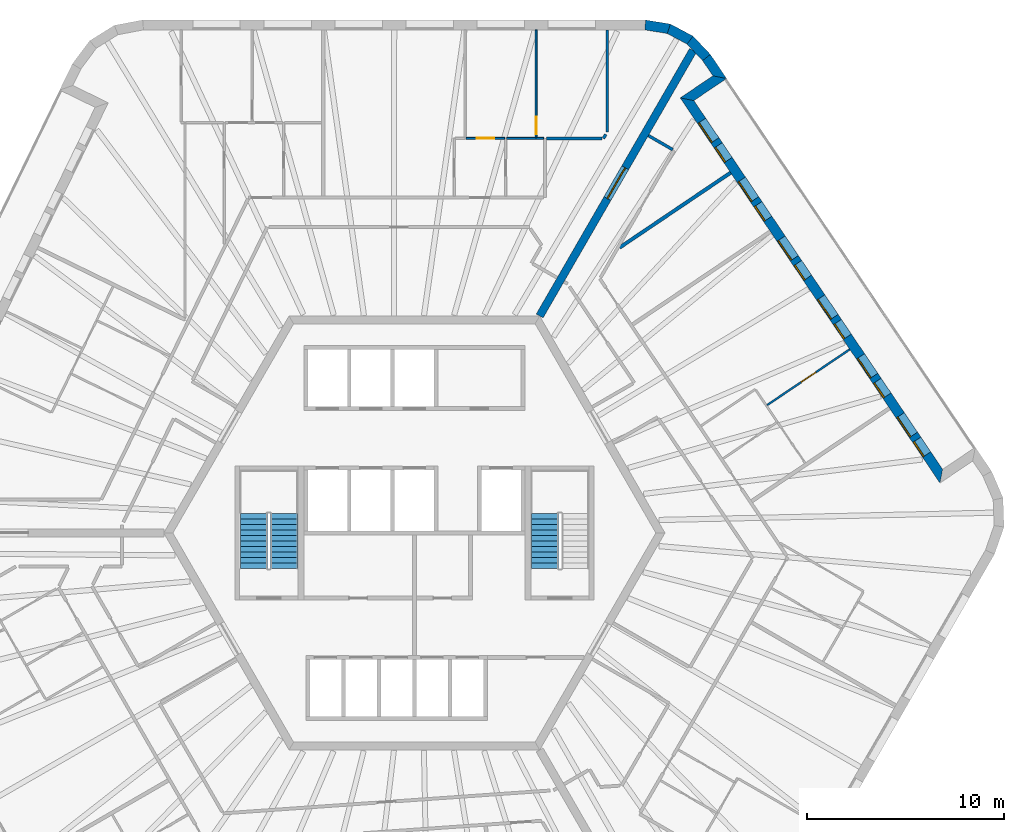
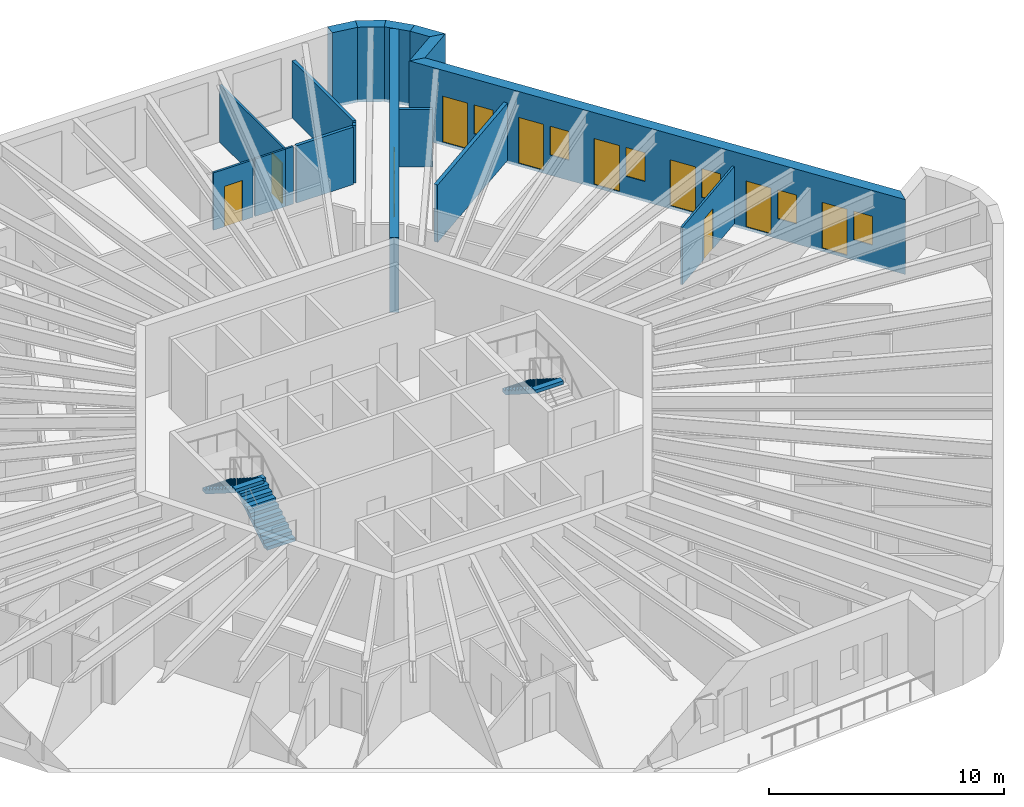
# One storey, part 10 of 12: 17 walls, 10 doors, 6 windows, 3 stair flights, 16 openings, 2 elements without a shape of their own.
"""IFC4 building model written with IfcOpenShell, lengths in metres."""

from ifc_helpers import new_model, si_unit, direction, frame, frame_2d, origin, place, context, subcontext, project, spatial, polyline, rectangle, outline, extrude, material, layer, layer_set, type_object, element, fill, aggregate, save


model = new_model("IFC4")

# Units and contexts
model_context = context("Model", 3, precision=1e-05, world=origin(), true_north=direction((0.0, 1.0)))
body_context = subcontext(model_context, "Body", "Model", "MODEL_VIEW")
ifc_project = project(units=[si_unit("LENGTHUNIT", "METRE"), si_unit("AREAUNIT", "SQUARE_METRE"), si_unit("VOLUMEUNIT", "CUBIC_METRE"), si_unit("PLANEANGLEUNIT", "RADIAN"), si_unit("MASSUNIT", "GRAM", prefix="KILO")], contexts=[model_context])

# Site, building, storey
site_placement = place(None, origin())
site = spatial("IfcSite", under=ifc_project, at=site_placement, CompositionType="ELEMENT")
building_placement = place(site_placement, origin())
building = spatial("IfcBuilding", under=site, at=building_placement, Name="Tarnside Tower", CompositionType="ELEMENT")
storey_placement = place(building_placement, frame((0.0, 0.0, 310.800048828125)))
storey = spatial("IfcBuildingStorey", under=building, at=storey_placement, Name="L75", CompositionType="ELEMENT", Elevation=310.800048828125)

# Walls
ifc_material_1 = material(Name="Gypsum board partition on steel studs", Category="steel")
ifc_layer_1 = layer(ifc_material_1, 0.10009765625)
ifc_layer_set_1 = layer_set([ifc_layer_1], Name="Bathroom wall 100")
wall_type_1 = type_object("IfcWallType", Name="Bathroom wall 100", PredefinedType="PARTITIONING", material=ifc_layer_set_1)
wall_1_placement = place(storey_placement, frame((6.5537109375, 20.0, 0.0), z_axis=(0.0, 0.0, 1.0), x_axis=(-1.0, 0.0, 0.0)))
element("IfcWall", 1, at=wall_1_placement, inside=storey, type_object=wall_type_1, Name="Bathroom wall 24090", PredefinedType="PARTITIONING", context=body_context, shape_type="SweptSolid", body=[
    extrude(rectangle(XDim=0.37841796875, YDim=0.10009765625, at=frame_2d((0.189208984375, 0.0))), origin(), (0.0, 0.0, 1.0), 2.98779296875),
])
wall_2_placement = place(storey_placement, frame((6.17529296875, 20.0, 0.0), z_axis=(0.0, 0.0, 1.0), x_axis=(-1.0, 0.0, 0.0)))
element("IfcWall", 2, at=wall_2_placement, inside=storey, type_object=wall_type_1, Name="Bathroom wall 24091", PredefinedType="PARTITIONING", context=body_context, shape_type="SweptSolid", body=[
    extrude(rectangle(XDim=1.500732421875, YDim=0.10009765625, at=frame_2d((0.75048828125, 0.0))), origin(), (0.0, 0.0, 1.0), 2.98779296875),
])

# Wall, opening, door
ifc_material_2 = material(Name="Concrete C60/75", Category="concrete")
ifc_layer_2 = layer(ifc_material_2, 0.39990234375)
ifc_layer_set_2 = layer_set([ifc_layer_2], Name="Core wall Z3 400 C60/75")
wall_type_2 = type_object("IfcWallType", Name="Core wall Z3 400 C60/75", PredefinedType="SHEAR", material=ifc_layer_set_2)
wall_3_placement = place(storey_placement, frame((6.350830078125, 11.0, -0.150146484375), z_axis=(0.0, 0.0, 1.0), x_axis=(0.499998894578, 0.866026041999, 0.0)))
wall_3 = element("IfcWall", 3, at=wall_3_placement, inside=storey, type_object=wall_type_2, Name="L75 spine wall 1", PredefinedType="SHEAR", context=body_context, shape_type="SweptSolid", body=[
    extrude(rectangle(XDim=15.54443359375, YDim=0.39990234375, at=frame_2d((7.772216796875, 0.0))), origin(), (0.0, 0.0, 1.0), 3.900146484375),
])
opening_1_placement = place(wall_3_placement, frame((6.872314453125, 0.0, 0.14990234375)))
opening_1 = element("IfcOpeningElement", 4, at=opening_1_placement, cuts=wall_3, Name="Opening CD-SPN", PredefinedType="OPENING", context=body_context, shape_type="SweptSolid", body=[
    extrude(rectangle(XDim=1.800048828125, YDim=2.39990234375, at=frame_2d((0.89990234375, 1.199951171875))), frame((0.0, 0.2099609375, 0.0), z_axis=(0.0, -1.0, 0.0), x_axis=(1.0, 0.0, 0.0)), (0.0, 0.0, 1.0), 0.419921875),
])
ifc_material_3 = material(Name="Steel fire door", Category="steel")
door_type_1 = type_object("IfcDoorType", Name="Spine passage double door FD60 1800x2400", OperationType="NOTDEFINED", PredefinedType="DOOR", material=ifc_material_3)
door_1_placement = place(opening_1_placement, origin())
door_1 = element("IfcDoor", 5, at=door_1_placement, inside=storey, type_object=door_type_1, Name="L75 spine passage door 1", OperationType="DOUBLE_DOOR_SINGLE_SWING", OverallHeight=2.39990234375, OverallWidth=1.800048828125, PredefinedType="DOOR", context=body_context, shape_type="SweptSolid", body=[
    extrude(rectangle(XDim=1.800048828125, YDim=2.39990234375, at=frame_2d((0.89990234375, 1.199951171875))), frame((0.0, 0.02490234375, 0.0), z_axis=(0.0, -1.0, 0.0), x_axis=(1.0, 0.0, 0.0)), (0.0, 0.0, 1.0), 0.050048828125),
])
fill(opening_1, door_1)

# Walls
ifc_layer_3 = layer(ifc_material_1, 0.14990234375)
ifc_layer_set_3 = layer_set([ifc_layer_3], Name="Corridor wall 150 EI 60")
wall_type_3 = type_object("IfcWallType", Name="Corridor wall 150 EI 60", PredefinedType="PARTITIONING", material=ifc_layer_set_3)
wall_4_placement = place(storey_placement, frame((9.775146484375, 25.5, 0.0), z_axis=(0.0, 0.0, 1.0), x_axis=(0.0, -1.0, 0.0)))
element("IfcWall", 6, at=wall_4_placement, inside=storey, type_object=wall_type_3, Name="Corridor wall 24005", PredefinedType="PARTITIONING", context=body_context, shape_type="SweptSolid", body=[
    extrude(rectangle(XDim=5.1689453125, YDim=0.14990234375, at=frame_2d((2.58447265625, 0.0))), origin(), (0.0, 0.0, 1.0), 2.98779296875),
])
wall_5_placement = place(storey_placement, frame((9.7001953125, 20.201171875, 0.0), z_axis=(0.0, 0.0, 1.0), x_axis=(-0.500207565094, -0.865905532852, 0.0)))
element("IfcWall", 7, at=wall_5_placement, inside=storey, type_object=wall_type_3, Name="Corridor wall 24006", PredefinedType="PARTITIONING", context=body_context, shape_type="SweptSolid", body=[
    extrude(rectangle(XDim=0.232421875, YDim=0.14990234375, at=frame_2d((0.1162109375, 0.0))), origin(), (0.0, 0.0, 1.0), 2.98779296875),
])
wall_6_placement = place(storey_placement, frame((9.497314453125, 20.0, 0.0), z_axis=(0.0, 0.0, 1.0), x_axis=(-1.0, 0.0, 0.0)))
element("IfcWall", 8, at=wall_6_placement, inside=storey, type_object=wall_type_3, Name="Corridor wall 24007", PredefinedType="PARTITIONING", context=body_context, shape_type="SweptSolid", body=[
    extrude(rectangle(XDim=2.799072265625, YDim=0.14990234375, at=frame_2d((1.3994140625, 0.0))), origin(), (0.0, 0.0, 1.0), 2.98779296875),
])
wall_7_placement = place(storey_placement, frame((13.09423828125, 19.429931640625, 0.0), z_axis=(0.0, 0.0, 1.0), x_axis=(-0.866062911188, 0.499935029643, 0.0)))
element("IfcWall", 9, at=wall_7_placement, inside=storey, type_object=wall_type_3, Name="Corridor wall 24070", PredefinedType="PARTITIONING", context=body_context, shape_type="SweptSolid", body=[
    extrude(rectangle(XDim=1.425048828125, YDim=0.14990234375, at=frame_2d((0.71240234375, 0.0))), origin(), (0.0, 0.0, 1.0), 2.98779296875),
])
ifc_layer_4 = layer(ifc_material_1, 0.179931640625)
ifc_layer_set_4 = layer_set([ifc_layer_4], Name="Demising wall 180 EI 60")
wall_type_4 = type_object("IfcWallType", Name="Demising wall 180 EI 60", PredefinedType="PARTITIONING", material=ifc_layer_set_4)
wall_8_placement = place(storey_placement, frame((16.029296875, 18.260498046875, 0.0), z_axis=(0.0, 0.0, 1.0), x_axis=(-0.82904538001, -0.559181328268, 0.0)))
element("IfcWall", 10, at=wall_8_placement, inside=storey, type_object=wall_type_4, Name="Demising wall 24166", PredefinedType="PARTITIONING", context=body_context, shape_type="SweptSolid", body=[
    extrude(rectangle(XDim=6.78955078125, YDim=0.179931640625, at=frame_2d((3.394775390625, 0.0))), origin(), (0.0, 0.0, 1.0), 2.98779296875),
])

# Wall, openings, doors, windows
ifc_material_4 = material(Name="Dark zinc cladding")
ifc_layer_5 = layer(ifc_material_4, 0.10205078125)
ifc_material_5 = material(Name="Concrete C60/75 precast", Category="concrete")
ifc_layer_6 = layer(ifc_material_5, 0.298095703125)
ifc_material_6 = material(Name="Mineral wool insulation")
ifc_layer_7 = layer(ifc_material_6, 0.10009765625)
ifc_layer_set_5 = layer_set([ifc_layer_5, ifc_layer_6, ifc_layer_7], Name="Loggia wall 500 zinc faced")
wall_type_5 = type_object("IfcWallType", Name="Loggia wall 500 zinc faced", PredefinedType="SOLIDWALL", material=ifc_layer_set_5)
wall_9_placement = place(storey_placement, frame((26.705810546875, 2.87890625, -0.150146484375), z_axis=(0.0, 0.0, 1.0), x_axis=(-0.559197891507, 0.829034208061, 0.0)))
wall_9 = element("IfcWall", 11, at=wall_9_placement, inside=storey, type_object=wall_type_5, Name="Tube wall L75 F6 back 30", PredefinedType="SOLIDWALL", context=body_context, shape_type="SweptSolid", body=[
    extrude(outline(polyline([(0.25, -0.25), (22.794677734375, -0.25), (23.294677734375, 0.25), (-0.25, 0.25), (0.25, -0.25)])), origin(), (0.0, 0.0, 1.0), 3.900146484375),
])
opening_2_placement = place(wall_9_placement, frame((1.322509765625, 0.0, 1.050048828125)))
opening_2 = element("IfcOpeningElement", 12, at=opening_2_placement, cuts=wall_9, Name="Opening WL500", PredefinedType="OPENING", context=body_context, shape_type="SweptSolid", body=[
    extrude(rectangle(XDim=0.89990234375, YDim=1.5, at=frame_2d((0.449951171875, 0.75))), frame((0.0, 0.260009765625, 0.0), z_axis=(0.0, -1.0, 0.0), x_axis=(1.0, 0.0, 0.0)), (0.0, 0.0, 1.0), 0.52001953125),
])
opening_3_placement = place(wall_9_placement, frame((2.5224609375, 0.0, 0.14990234375)))
opening_3 = element("IfcOpeningElement", 13, at=opening_3_placement, cuts=wall_9, Name="Opening DB500", PredefinedType="OPENING", context=body_context, shape_type="SweptSolid", body=[
    extrude(rectangle(XDim=1.199951171875, YDim=2.39990234375, at=frame_2d((0.60009765625, 1.199951171875))), frame((0.0, 0.260009765625, 0.0), z_axis=(0.0, -1.0, 0.0), x_axis=(1.0, 0.0, 0.0)), (0.0, 0.0, 1.0), 0.52001953125),
])
opening_4_placement = place(wall_9_placement, frame((4.92236328125, 0.0, 1.050048828125)))
opening_4 = element("IfcOpeningElement", 14, at=opening_4_placement, cuts=wall_9, Name="Opening WL500", PredefinedType="OPENING", context=body_context, shape_type="SweptSolid", body=[
    extrude(rectangle(XDim=0.89990234375, YDim=1.5, at=frame_2d((0.449951171875, 0.75))), frame((0.0, 0.260009765625, 0.0), z_axis=(0.0, -1.0, 0.0), x_axis=(1.0, 0.0, 0.0)), (0.0, 0.0, 1.0), 0.52001953125),
])
opening_5_placement = place(wall_9_placement, frame((6.122314453125, 0.0, 0.14990234375)))
opening_5 = element("IfcOpeningElement", 15, at=opening_5_placement, cuts=wall_9, Name="Opening DB500", PredefinedType="OPENING", context=body_context, shape_type="SweptSolid", body=[
    extrude(rectangle(XDim=1.199951171875, YDim=2.39990234375, at=frame_2d((0.60009765625, 1.199951171875))), frame((0.0, 0.260009765625, 0.0), z_axis=(0.0, -1.0, 0.0), x_axis=(1.0, 0.0, 0.0)), (0.0, 0.0, 1.0), 0.52001953125),
])
opening_6_placement = place(wall_9_placement, frame((8.5224609375, 0.0, 1.050048828125)))
opening_6 = element("IfcOpeningElement", 16, at=opening_6_placement, cuts=wall_9, Name="Opening WL500", PredefinedType="OPENING", context=body_context, shape_type="SweptSolid", body=[
    extrude(rectangle(XDim=0.89990234375, YDim=1.5, at=frame_2d((0.449951171875, 0.75))), frame((0.0, 0.260009765625, 0.0), z_axis=(0.0, -1.0, 0.0), x_axis=(1.0, 0.0, 0.0)), (0.0, 0.0, 1.0), 0.52001953125),
])
opening_7_placement = place(wall_9_placement, frame((9.722412109375, 0.0, 0.14990234375)))
opening_7 = element("IfcOpeningElement", 17, at=opening_7_placement, cuts=wall_9, Name="Opening DB500", PredefinedType="OPENING", context=body_context, shape_type="SweptSolid", body=[
    extrude(rectangle(XDim=1.199951171875, YDim=2.39990234375, at=frame_2d((0.60009765625, 1.199951171875))), frame((0.0, 0.260009765625, 0.0), z_axis=(0.0, -1.0, 0.0), x_axis=(1.0, 0.0, 0.0)), (0.0, 0.0, 1.0), 0.52001953125),
])
opening_8_placement = place(wall_9_placement, frame((12.122314453125, 0.0, 1.050048828125)))
opening_8 = element("IfcOpeningElement", 18, at=opening_8_placement, cuts=wall_9, Name="Opening WL500", PredefinedType="OPENING", context=body_context, shape_type="SweptSolid", body=[
    extrude(rectangle(XDim=0.89990234375, YDim=1.5, at=frame_2d((0.449951171875, 0.75))), frame((0.0, 0.260009765625, 0.0), z_axis=(0.0, -1.0, 0.0), x_axis=(1.0, 0.0, 0.0)), (0.0, 0.0, 1.0), 0.52001953125),
])
opening_9_placement = place(wall_9_placement, frame((13.322509765625, 0.0, 0.14990234375)))
opening_9 = element("IfcOpeningElement", 19, at=opening_9_placement, cuts=wall_9, Name="Opening DB500", PredefinedType="OPENING", context=body_context, shape_type="SweptSolid", body=[
    extrude(rectangle(XDim=1.199951171875, YDim=2.39990234375, at=frame_2d((0.60009765625, 1.199951171875))), frame((0.0, 0.260009765625, 0.0), z_axis=(0.0, -1.0, 0.0), x_axis=(1.0, 0.0, 0.0)), (0.0, 0.0, 1.0), 0.52001953125),
])
opening_10_placement = place(wall_9_placement, frame((15.722412109375, 0.0, 1.050048828125)))
opening_10 = element("IfcOpeningElement", 20, at=opening_10_placement, cuts=wall_9, Name="Opening WL500", PredefinedType="OPENING", context=body_context, shape_type="SweptSolid", body=[
    extrude(rectangle(XDim=0.89990234375, YDim=1.5, at=frame_2d((0.449951171875, 0.75))), frame((0.0, 0.260009765625, 0.0), z_axis=(0.0, -1.0, 0.0), x_axis=(1.0, 0.0, 0.0)), (0.0, 0.0, 1.0), 0.52001953125),
])
opening_11_placement = place(wall_9_placement, frame((16.92236328125, 0.0, 0.14990234375)))
opening_11 = element("IfcOpeningElement", 21, at=opening_11_placement, cuts=wall_9, Name="Opening DB500", PredefinedType="OPENING", context=body_context, shape_type="SweptSolid", body=[
    extrude(rectangle(XDim=1.199951171875, YDim=2.39990234375, at=frame_2d((0.60009765625, 1.199951171875))), frame((0.0, 0.260009765625, 0.0), z_axis=(0.0, -1.0, 0.0), x_axis=(1.0, 0.0, 0.0)), (0.0, 0.0, 1.0), 0.52001953125),
])
opening_12_placement = place(wall_9_placement, frame((19.322509765625, 0.0, 1.050048828125)))
opening_12 = element("IfcOpeningElement", 22, at=opening_12_placement, cuts=wall_9, Name="Opening WL500", PredefinedType="OPENING", context=body_context, shape_type="SweptSolid", body=[
    extrude(rectangle(XDim=0.89990234375, YDim=1.5, at=frame_2d((0.449951171875, 0.75))), frame((0.0, 0.260009765625, 0.0), z_axis=(0.0, -1.0, 0.0), x_axis=(1.0, 0.0, 0.0)), (0.0, 0.0, 1.0), 0.52001953125),
])
opening_13_placement = place(wall_9_placement, frame((20.5224609375, 0.0, 0.14990234375)))
opening_13 = element("IfcOpeningElement", 23, at=opening_13_placement, cuts=wall_9, Name="Opening DB500", PredefinedType="OPENING", context=body_context, shape_type="SweptSolid", body=[
    extrude(rectangle(XDim=1.199951171875, YDim=2.39990234375, at=frame_2d((0.60009765625, 1.199951171875))), frame((0.0, 0.260009765625, 0.0), z_axis=(0.0, -1.0, 0.0), x_axis=(1.0, 0.0, 0.0)), (0.0, 0.0, 1.0), 0.52001953125),
])
ifc_material_7 = material(Name="Aluminium-framed double glazing", Category="aluminium")
door_type_2 = type_object("IfcDoorType", Name="Balcony sliding door 1200 x 2400 in 500 wall", OperationType="SLIDING_TO_LEFT", PredefinedType="DOOR", material=ifc_material_7)
door_2_placement = place(opening_3_placement, frame((0.0, 0.1748046875, 0.0)))
door_2 = element("IfcDoor", 24, at=door_2_placement, inside=storey, type_object=door_type_2, Name="E.BD.L75.F6.00", OperationType="SLIDING_TO_LEFT", OverallHeight=2.39990234375, OverallWidth=1.199951171875, PredefinedType="DOOR", context=body_context, shape_type="SweptSolid", body=[
    extrude(rectangle(XDim=1.199951171875, YDim=2.39990234375, at=frame_2d((0.60009765625, 1.199951171875))), frame((0.0, 0.02490234375, 0.0), z_axis=(0.0, -1.0, 0.0), x_axis=(1.0, 0.0, 0.0)), (0.0, 0.0, 1.0), 0.050048828125),
])
fill(opening_3, door_2)
door_3_placement = place(opening_5_placement, frame((0.0, 0.1748046875, 0.0)))
door_3 = element("IfcDoor", 25, at=door_3_placement, inside=storey, type_object=door_type_2, Name="E.BD.L75.F6.01", OperationType="SLIDING_TO_LEFT", OverallHeight=2.39990234375, OverallWidth=1.199951171875, PredefinedType="DOOR", context=body_context, shape_type="SweptSolid", body=[
    extrude(rectangle(XDim=1.199951171875, YDim=2.39990234375, at=frame_2d((0.60009765625, 1.199951171875))), frame((0.0, 0.02490234375, 0.0), z_axis=(0.0, -1.0, 0.0), x_axis=(1.0, 0.0, 0.0)), (0.0, 0.0, 1.0), 0.050048828125),
])
fill(opening_5, door_3)
door_4_placement = place(opening_7_placement, frame((0.0, 0.1748046875, 0.0)))
door_4 = element("IfcDoor", 26, at=door_4_placement, inside=storey, type_object=door_type_2, Name="E.BD.L75.F6.02", OperationType="SLIDING_TO_LEFT", OverallHeight=2.39990234375, OverallWidth=1.199951171875, PredefinedType="DOOR", context=body_context, shape_type="SweptSolid", body=[
    extrude(rectangle(XDim=1.199951171875, YDim=2.39990234375, at=frame_2d((0.60009765625, 1.199951171875))), frame((0.0, 0.02490234375, 0.0), z_axis=(0.0, -1.0, 0.0), x_axis=(1.0, 0.0, 0.0)), (0.0, 0.0, 1.0), 0.050048828125),
])
fill(opening_7, door_4)
door_5_placement = place(opening_9_placement, frame((0.0, 0.1748046875, 0.0)))
door_5 = element("IfcDoor", 27, at=door_5_placement, inside=storey, type_object=door_type_2, Name="E.BD.L75.F6.03", OperationType="SLIDING_TO_LEFT", OverallHeight=2.39990234375, OverallWidth=1.199951171875, PredefinedType="DOOR", context=body_context, shape_type="SweptSolid", body=[
    extrude(rectangle(XDim=1.199951171875, YDim=2.39990234375, at=frame_2d((0.60009765625, 1.199951171875))), frame((0.0, 0.02490234375, 0.0), z_axis=(0.0, -1.0, 0.0), x_axis=(1.0, 0.0, 0.0)), (0.0, 0.0, 1.0), 0.050048828125),
])
fill(opening_9, door_5)
door_6_placement = place(opening_11_placement, frame((0.0, 0.1748046875, 0.0)))
door_6 = element("IfcDoor", 28, at=door_6_placement, inside=storey, type_object=door_type_2, Name="E.BD.L75.F6.04", OperationType="SLIDING_TO_LEFT", OverallHeight=2.39990234375, OverallWidth=1.199951171875, PredefinedType="DOOR", context=body_context, shape_type="SweptSolid", body=[
    extrude(rectangle(XDim=1.199951171875, YDim=2.39990234375, at=frame_2d((0.60009765625, 1.199951171875))), frame((0.0, 0.02490234375, 0.0), z_axis=(0.0, -1.0, 0.0), x_axis=(1.0, 0.0, 0.0)), (0.0, 0.0, 1.0), 0.050048828125),
])
fill(opening_11, door_6)
door_7_placement = place(opening_13_placement, frame((0.0, 0.1748046875, 0.0)))
door_7 = element("IfcDoor", 29, at=door_7_placement, inside=storey, type_object=door_type_2, Name="E.BD.L75.F6.05", OperationType="SLIDING_TO_LEFT", OverallHeight=2.39990234375, OverallWidth=1.199951171875, PredefinedType="DOOR", context=body_context, shape_type="SweptSolid", body=[
    extrude(rectangle(XDim=1.199951171875, YDim=2.39990234375, at=frame_2d((0.60009765625, 1.199951171875))), frame((0.0, 0.02490234375, 0.0), z_axis=(0.0, -1.0, 0.0), x_axis=(1.0, 0.0, 0.0)), (0.0, 0.0, 1.0), 0.050048828125),
])
fill(opening_13, door_7)
window_type = type_object("IfcWindowType", Name="Loggia window 900 x 1500 in 500 wall", PartitioningType="SINGLE_PANEL", PredefinedType="WINDOW", material=ifc_material_7)
window_1_placement = place(opening_2_placement, frame((0.0, 0.179931640625, 0.0)))
window_1 = element("IfcWindow", 30, at=window_1_placement, inside=storey, type_object=window_type, Name="E.LW.L75.F6.00", OverallHeight=1.5, OverallWidth=0.89990234375, PartitioningType="SINGLE_PANEL", PredefinedType="WINDOW", context=body_context, shape_type="SweptSolid", body=[
    extrude(rectangle(XDim=0.89990234375, YDim=1.5, at=frame_2d((0.449951171875, 0.75))), frame((0.0, 0.030029296875, 0.0), z_axis=(0.0, -1.0, 0.0), x_axis=(1.0, 0.0, 0.0)), (0.0, 0.0, 1.0), 0.06005859375),
])
fill(opening_2, window_1)
window_2_placement = place(opening_4_placement, frame((0.0, 0.179931640625, 0.0)))
window_2 = element("IfcWindow", 31, at=window_2_placement, inside=storey, type_object=window_type, Name="E.LW.L75.F6.01", OverallHeight=1.5, OverallWidth=0.89990234375, PartitioningType="SINGLE_PANEL", PredefinedType="WINDOW", context=body_context, shape_type="SweptSolid", body=[
    extrude(rectangle(XDim=0.89990234375, YDim=1.5, at=frame_2d((0.449951171875, 0.75))), frame((0.0, 0.030029296875, 0.0), z_axis=(0.0, -1.0, 0.0), x_axis=(1.0, 0.0, 0.0)), (0.0, 0.0, 1.0), 0.06005859375),
])
fill(opening_4, window_2)
window_3_placement = place(opening_6_placement, frame((0.0, 0.179931640625, 0.0)))
window_3 = element("IfcWindow", 32, at=window_3_placement, inside=storey, type_object=window_type, Name="E.LW.L75.F6.02", OverallHeight=1.5, OverallWidth=0.89990234375, PartitioningType="SINGLE_PANEL", PredefinedType="WINDOW", context=body_context, shape_type="SweptSolid", body=[
    extrude(rectangle(XDim=0.89990234375, YDim=1.5, at=frame_2d((0.449951171875, 0.75))), frame((0.0, 0.030029296875, 0.0), z_axis=(0.0, -1.0, 0.0), x_axis=(1.0, 0.0, 0.0)), (0.0, 0.0, 1.0), 0.06005859375),
])
fill(opening_6, window_3)
window_4_placement = place(opening_8_placement, frame((0.0, 0.179931640625, 0.0)))
window_4 = element("IfcWindow", 33, at=window_4_placement, inside=storey, type_object=window_type, Name="E.LW.L75.F6.03", OverallHeight=1.5, OverallWidth=0.89990234375, PartitioningType="SINGLE_PANEL", PredefinedType="WINDOW", context=body_context, shape_type="SweptSolid", body=[
    extrude(rectangle(XDim=0.89990234375, YDim=1.5, at=frame_2d((0.449951171875, 0.75))), frame((0.0, 0.030029296875, 0.0), z_axis=(0.0, -1.0, 0.0), x_axis=(1.0, 0.0, 0.0)), (0.0, 0.0, 1.0), 0.06005859375),
])
fill(opening_8, window_4)
window_5_placement = place(opening_10_placement, frame((0.0, 0.179931640625, 0.0)))
window_5 = element("IfcWindow", 34, at=window_5_placement, inside=storey, type_object=window_type, Name="E.LW.L75.F6.04", OverallHeight=1.5, OverallWidth=0.89990234375, PartitioningType="SINGLE_PANEL", PredefinedType="WINDOW", context=body_context, shape_type="SweptSolid", body=[
    extrude(rectangle(XDim=0.89990234375, YDim=1.5, at=frame_2d((0.449951171875, 0.75))), frame((0.0, 0.030029296875, 0.0), z_axis=(0.0, -1.0, 0.0), x_axis=(1.0, 0.0, 0.0)), (0.0, 0.0, 1.0), 0.06005859375),
])
fill(opening_10, window_5)
window_6_placement = place(opening_12_placement, frame((0.0, 0.179931640625, 0.0)))
window_6 = element("IfcWindow", 35, at=window_6_placement, inside=storey, type_object=window_type, Name="E.LW.L75.F6.05", OverallHeight=1.5, OverallWidth=0.89990234375, PartitioningType="SINGLE_PANEL", PredefinedType="WINDOW", context=body_context, shape_type="SweptSolid", body=[
    extrude(rectangle(XDim=0.89990234375, YDim=1.5, at=frame_2d((0.449951171875, 0.75))), frame((0.0, 0.030029296875, 0.0), z_axis=(0.0, -1.0, 0.0), x_axis=(1.0, 0.0, 0.0)), (0.0, 0.0, 1.0), 0.06005859375),
])
fill(opening_12, window_6)

# Walls
wall_10_placement = place(storey_placement, frame((13.8193359375, 21.983642578125, -0.150146484375), z_axis=(0.0, 0.0, 1.0), x_axis=(0.829052389485, 0.559170935841, 0.0)))
element("IfcWall", 36, at=wall_10_placement, inside=storey, type_object=wall_type_5, Name="Tube wall L75 F6 return 31", PredefinedType="SOLIDWALL", context=body_context, shape_type="SweptSolid", body=[
    extrude(outline(polyline([(0.25, -0.25), (2.25, -0.25), (1.75, 0.25), (-0.25, 0.25), (0.25, -0.25)])), origin(), (0.0, 0.0, 1.0), 3.900146484375),
])
wall_11_placement = place(storey_placement, frame((15.4775390625, 23.10205078125, -0.150146484375), z_axis=(0.0, 0.0, 1.0), x_axis=(-0.559245726333, 0.829001940636, 0.0)))
element("IfcWall", 37, at=wall_11_placement, inside=storey, type_object=wall_type_5, Name="Tube wall L75 F6 stub 32", PredefinedType="SOLIDWALL", context=body_context, shape_type="SweptSolid", body=[
    extrude(outline(polyline([(-0.25, -0.25), (1.220703125, -0.25), (1.1796875, 0.25), (0.25, 0.25), (-0.25, -0.25)])), origin(), (0.0, 0.0, 1.0), 3.900146484375),
])

# Wall, opening, door
ifc_layer_8 = layer(ifc_material_1, 0.10009765625)
ifc_layer_set_6 = layer_set([ifc_layer_8], Name="Partition 100")
wall_type_6 = type_object("IfcWallType", Name="Partition 100", PredefinedType="PARTITIONING", material=ifc_layer_set_6)
wall_12_placement = place(storey_placement, frame((4.57861328125, 20.0, 0.0), z_axis=(0.0, 0.0, 1.0), x_axis=(-1.0, 0.0, 0.0)))
wall_12 = element("IfcWall", 38, at=wall_12_placement, inside=storey, type_object=wall_type_6, Name="Partition wall 24089", PredefinedType="PARTITIONING", context=body_context, shape_type="SweptSolid", body=[
    extrude(rectangle(XDim=1.953369140625, YDim=0.10009765625, at=frame_2d((0.9765625, 0.0))), origin(), (0.0, 0.0, 1.0), 2.98779296875),
])
opening_14_placement = place(wall_12_placement, frame((0.527587890625, 0.0, 0.0)))
opening_14 = element("IfcOpeningElement", 39, at=opening_14_placement, cuts=wall_12, Name="Opening D-I1", PredefinedType="OPENING", context=body_context, shape_type="SweptSolid", body=[
    extrude(rectangle(XDim=0.89990234375, YDim=2.10009765625, at=frame_2d((0.449951171875, 1.050048828125))), frame((0.0, 0.06005859375, 0.0), z_axis=(0.0, -1.0, 0.0), x_axis=(1.0, 0.0, 0.0)), (0.0, 0.0, 1.0), 0.1201171875),
])
ifc_material_8 = material(Name="Timber door leaf", Category="wood")
door_type_3 = type_object("IfcDoorType", Name="Internal door 900", OperationType="NOTDEFINED", PredefinedType="DOOR", material=ifc_material_8)
door_8_placement = place(opening_14_placement, origin())
door_8 = element("IfcDoor", 40, at=door_8_placement, inside=storey, type_object=door_type_3, Name="Internal door 24007", OperationType="SINGLE_SWING_RIGHT", OverallHeight=2.10009765625, OverallWidth=0.89990234375, PredefinedType="DOOR", context=body_context, shape_type="SweptSolid", body=[
    extrude(rectangle(XDim=0.89990234375, YDim=2.10009765625, at=frame_2d((0.449951171875, 1.050048828125))), frame((0.0, 0.02490234375, 0.0), z_axis=(0.0, -1.0, 0.0), x_axis=(1.0, 0.0, 0.0)), (0.0, 0.0, 1.0), 0.050048828125),
])
fill(opening_14, door_8)

wall_13_placement = place(storey_placement, frame((6.17529296875, 25.5, 0.0), z_axis=(0.0, 0.0, 1.0), x_axis=(0.0, -1.0, 0.0)))
wall_13 = element("IfcWall", 41, at=wall_13_placement, inside=storey, type_object=wall_type_6, Name="Partition wall 24092", PredefinedType="PARTITIONING", context=body_context, shape_type="SweptSolid", body=[
    extrude(rectangle(XDim=5.449951171875, YDim=0.10009765625, at=frame_2d((2.72509765625, 0.0))), origin(), (0.0, 0.0, 1.0), 2.98779296875),
])
opening_15_placement = place(wall_13_placement, frame((4.39990234375, 0.0, 0.0)))
opening_15 = element("IfcOpeningElement", 42, at=opening_15_placement, cuts=wall_13, Name="Opening D-I1", PredefinedType="OPENING", context=body_context, shape_type="SweptSolid", body=[
    extrude(rectangle(XDim=0.89990234375, YDim=2.10009765625, at=frame_2d((0.449951171875, 1.050048828125))), frame((0.0, 0.06005859375, 0.0), z_axis=(0.0, -1.0, 0.0), x_axis=(1.0, 0.0, 0.0)), (0.0, 0.0, 1.0), 0.1201171875),
])
door_9_placement = place(opening_15_placement, origin())
door_9 = element("IfcDoor", 43, at=door_9_placement, inside=storey, type_object=door_type_3, Name="Internal door 24006", OperationType="SINGLE_SWING_RIGHT", OverallHeight=2.10009765625, OverallWidth=0.89990234375, PredefinedType="DOOR", context=body_context, shape_type="SweptSolid", body=[
    extrude(rectangle(XDim=0.89990234375, YDim=2.10009765625, at=frame_2d((0.449951171875, 1.050048828125))), frame((0.0, 0.02490234375, 0.0), z_axis=(0.0, -1.0, 0.0), x_axis=(1.0, 0.0, 0.0)), (0.0, 0.0, 1.0), 0.050048828125),
])
fill(opening_15, door_9)

wall_14_placement = place(storey_placement, frame((17.8818359375, 6.483154296875, 0.0), z_axis=(0.0, 0.0, 1.0), x_axis=(0.829063268522, 0.559154805745, 0.0)))
wall_14 = element("IfcWall", 44, at=wall_14_placement, inside=storey, type_object=wall_type_6, Name="Partition wall 24161", PredefinedType="PARTITIONING", context=body_context, shape_type="SweptSolid", body=[
    extrude(rectangle(XDim=5.050048828125, YDim=0.10009765625, at=frame_2d((2.52490234375, 0.0))), origin(), (0.0, 0.0, 1.0), 2.98779296875),
])
opening_16_placement = place(wall_14_placement, frame((2.074951171875, 0.0, 0.0)))
opening_16 = element("IfcOpeningElement", 45, at=opening_16_placement, cuts=wall_14, Name="Opening D-I1", PredefinedType="OPENING", context=body_context, shape_type="SweptSolid", body=[
    extrude(rectangle(XDim=0.89990234375, YDim=2.10009765625, at=frame_2d((0.449951171875, 1.050048828125))), frame((0.0, 0.06005859375, 0.0), z_axis=(0.0, -1.0, 0.0), x_axis=(1.0, 0.0, 0.0)), (0.0, 0.0, 1.0), 0.1201171875),
])
door_10_placement = place(opening_16_placement, origin())
door_10 = element("IfcDoor", 46, at=door_10_placement, inside=storey, type_object=door_type_3, Name="Internal door 24062", OperationType="SINGLE_SWING_LEFT", OverallHeight=2.10009765625, OverallWidth=0.89990234375, PredefinedType="DOOR", context=body_context, shape_type="SweptSolid", body=[
    extrude(rectangle(XDim=0.89990234375, YDim=2.10009765625, at=frame_2d((0.449951171875, 1.050048828125))), frame((0.0, 0.02490234375, 0.0), z_axis=(0.0, -1.0, 0.0), x_axis=(1.0, 0.0, 0.0)), (0.0, 0.0, 1.0), 0.050048828125),
])
fill(opening_16, door_10)

# Walls
ifc_material_9 = material(Name="Facing brick", Category="masonry")
ifc_layer_9 = layer(ifc_material_9, 0.10205078125)
ifc_layer_10 = layer(ifc_material_5, 0.298095703125)
ifc_layer_11 = layer(ifc_material_6, 0.10009765625)
ifc_layer_set_7 = layer_set([ifc_layer_9, ifc_layer_10, ifc_layer_11], Name="Tube wall 500 brick faced")
wall_type_7 = type_object("IfcWallType", Name="Tube wall 500 brick faced", PredefinedType="SOLIDWALL", material=ifc_layer_set_7)
wall_15_placement = place(storey_placement, frame((14.806396484375, 24.096923828125, -0.150146484375), z_axis=(0.0, 0.0, 1.0), x_axis=(-0.686234452793, 0.727380420275, 0.0)))
element("IfcWall", 47, at=wall_15_placement, inside=storey, type_object=wall_type_7, Name="Tube wall L75 F6 chord 33", PredefinedType="SOLIDWALL", context=body_context, shape_type="SweptSolid", body=[
    extrude(outline(polyline([(-0.0205078125, -0.25), (1.25732421875, -0.25), (1.17529296875, 0.25), (0.0205078125, 0.25), (-0.0205078125, -0.25)])), origin(), (0.0, 0.0, 1.0), 3.900146484375),
])
wall_16_placement = place(storey_placement, frame((13.9716796875, 24.981689453125, -0.150146484375), z_axis=(0.0, 0.0, 1.0), x_axis=(-0.882902492938, 0.469556373575, 0.0)))
element("IfcWall", 48, at=wall_16_placement, inside=storey, type_object=wall_type_7, Name="Tube wall L75 F6 chord 34", PredefinedType="SOLIDWALL", context=body_context, shape_type="SweptSolid", body=[
    extrude(outline(polyline([(-0.041015625, -0.25), (1.257080078125, -0.25), (1.175048828125, 0.25), (0.041015625, 0.25), (-0.041015625, -0.25)])), origin(), (0.0, 0.0, 1.0), 3.900146484375),
])
wall_17_placement = place(storey_placement, frame((12.89794921875, 25.552734375, -0.150146484375), z_axis=(0.0, 0.0, 1.0), x_axis=(-0.986765617372, 0.16215306464, 0.0)))
element("IfcWall", 49, at=wall_17_placement, inside=storey, type_object=wall_type_7, Name="Tube wall L75 F6 chord 35", PredefinedType="SOLIDWALL", context=body_context, shape_type="SweptSolid", body=[
    extrude(outline(polyline([(-0.041015625, -0.25), (1.237060546875, -0.25), (1.196044921875, 0.25), (0.041015625, 0.25), (-0.041015625, -0.25)])), origin(), (0.0, 0.0, 1.0), 3.900146484375),
])

# Stair, stair flight
ifc_material_10 = material(Name="Concrete C40/50", Category="concrete")
stair_type = type_object("IfcStairType", Name="Exit stair 1400 clear", PredefinedType="HALF_TURN_STAIR", material=ifc_material_10)
stair_1_placement = place(storey_placement, origin())
stair_1 = element("IfcStair", 50, at=stair_1_placement, inside=storey, type_object=stair_type, Name="L75 Exit stair 1", PredefinedType="HALF_TURN_STAIR")
stair_flight_type = type_object("IfcStairFlightType", Name="Exit stair flight 1400", PredefinedType="STRAIGHT", material=ifc_material_10)
stair_flight_1_placement = place(storey_placement, frame((6.60009765625, 1.0, 1.949951171875), z_axis=(0.0, 0.0, 1.0), x_axis=(0.0, -1.0, 0.0)))
stair_flight_1 = element("IfcStairFlight", 51, at=stair_flight_1_placement, type_object=stair_flight_type, Name="ST1 flight 2", NumberOfRisers=11, NumberOfTreads=10, PredefinedType="STRAIGHT", RiserHeight=0.177272727, TreadLength=0.28, context=body_context, shape_type="SweptSolid", body=[
    extrude(outline(polyline([(0.0, 0.0), (0.0, 0.17724609375), (0.280029296875, 0.17724609375), (0.280029296875, 0.3544921875), (0.56005859375, 0.3544921875), (0.56005859375, 0.53173828125), (0.840087890625, 0.53173828125), (0.840087890625, 0.708984375), (1.1201171875, 0.708984375), (1.1201171875, 0.886474609375), (1.39990234375, 0.886474609375), (1.39990234375, 1.063720703125), (1.679931640625, 1.063720703125), (1.679931640625, 1.240966796875), (1.9599609375, 1.240966796875), (1.9599609375, 1.418212890625), (2.239990234375, 1.418212890625), (2.239990234375, 1.595458984375), (2.52001953125, 1.595458984375), (2.52001953125, 1.772705078125), (2.800048828125, 1.772705078125), (2.800048828125, 1.949951171875), (2.800048828125, 1.59521484375), (0.2802734375, 0.0), (0.0, 0.0)])), frame((0.0, 0.699951171875, 0.0), z_axis=(0.0, -1.0, 0.0), x_axis=(1.0, 0.0, 0.0)), (0.0, 0.0, 1.0), 1.39990234375),
])
aggregate(stair_1, [stair_flight_1])

# Stair, stair flights
stair_2_placement = place(storey_placement, origin())
stair_2 = element("IfcStair", 52, at=stair_2_placement, inside=storey, type_object=stair_type, Name="L75 Exit stair 2", PredefinedType="HALF_TURN_STAIR")
stair_flight_2_placement = place(storey_placement, frame((-6.60009765625, -1.800048828125, 0.0), z_axis=(0.0, 0.0, 1.0), x_axis=(0.0, 1.0, 0.0)))
stair_flight_2 = element("IfcStairFlight", 53, at=stair_flight_2_placement, type_object=stair_flight_type, Name="ST2 flight 1", NumberOfRisers=11, NumberOfTreads=10, PredefinedType="STRAIGHT", RiserHeight=0.177272727, TreadLength=0.28, context=body_context, shape_type="SweptSolid", body=[
    extrude(outline(polyline([(0.0, 0.0), (0.0, 0.17724609375), (0.280029296875, 0.17724609375), (0.280029296875, 0.3544921875), (0.56005859375, 0.3544921875), (0.56005859375, 0.53173828125), (0.840087890625, 0.53173828125), (0.840087890625, 0.708984375), (1.1201171875, 0.708984375), (1.1201171875, 0.886474609375), (1.39990234375, 0.886474609375), (1.39990234375, 1.063720703125), (1.679931640625, 1.063720703125), (1.679931640625, 1.240966796875), (1.9599609375, 1.240966796875), (1.9599609375, 1.418212890625), (2.239990234375, 1.418212890625), (2.239990234375, 1.595458984375), (2.52001953125, 1.595458984375), (2.52001953125, 1.772705078125), (2.800048828125, 1.772705078125), (2.800048828125, 1.949951171875), (2.800048828125, 1.59521484375), (0.2802734375, 0.0), (0.0, 0.0)])), frame((0.0, 0.699951171875, 0.0), z_axis=(0.0, -1.0, 0.0), x_axis=(1.0, 0.0, 0.0)), (0.0, 0.0, 1.0), 1.39990234375),
])
stair_flight_3_placement = place(storey_placement, frame((-8.14990234375, 1.0, 1.949951171875), z_axis=(0.0, 0.0, 1.0), x_axis=(0.0, -1.0, 0.0)))
stair_flight_3 = element("IfcStairFlight", 54, at=stair_flight_3_placement, type_object=stair_flight_type, Name="ST2 flight 2", NumberOfRisers=11, NumberOfTreads=10, PredefinedType="STRAIGHT", RiserHeight=0.177272727, TreadLength=0.28, context=body_context, shape_type="SweptSolid", body=[
    extrude(outline(polyline([(0.0, 0.0), (0.0, 0.17724609375), (0.280029296875, 0.17724609375), (0.280029296875, 0.3544921875), (0.56005859375, 0.3544921875), (0.56005859375, 0.53173828125), (0.840087890625, 0.53173828125), (0.840087890625, 0.708984375), (1.1201171875, 0.708984375), (1.1201171875, 0.886474609375), (1.39990234375, 0.886474609375), (1.39990234375, 1.063720703125), (1.679931640625, 1.063720703125), (1.679931640625, 1.240966796875), (1.9599609375, 1.240966796875), (1.9599609375, 1.418212890625), (2.239990234375, 1.418212890625), (2.239990234375, 1.595458984375), (2.52001953125, 1.595458984375), (2.52001953125, 1.772705078125), (2.800048828125, 1.772705078125), (2.800048828125, 1.949951171875), (2.800048828125, 1.59521484375), (0.2802734375, 0.0), (0.0, 0.0)])), frame((0.0, 0.699951171875, 0.0), z_axis=(0.0, -1.0, 0.0), x_axis=(1.0, 0.0, 0.0)), (0.0, 0.0, 1.0), 1.39990234375),
])
aggregate(stair_2, [stair_flight_2, stair_flight_3])

save(model, "model.ifc")
